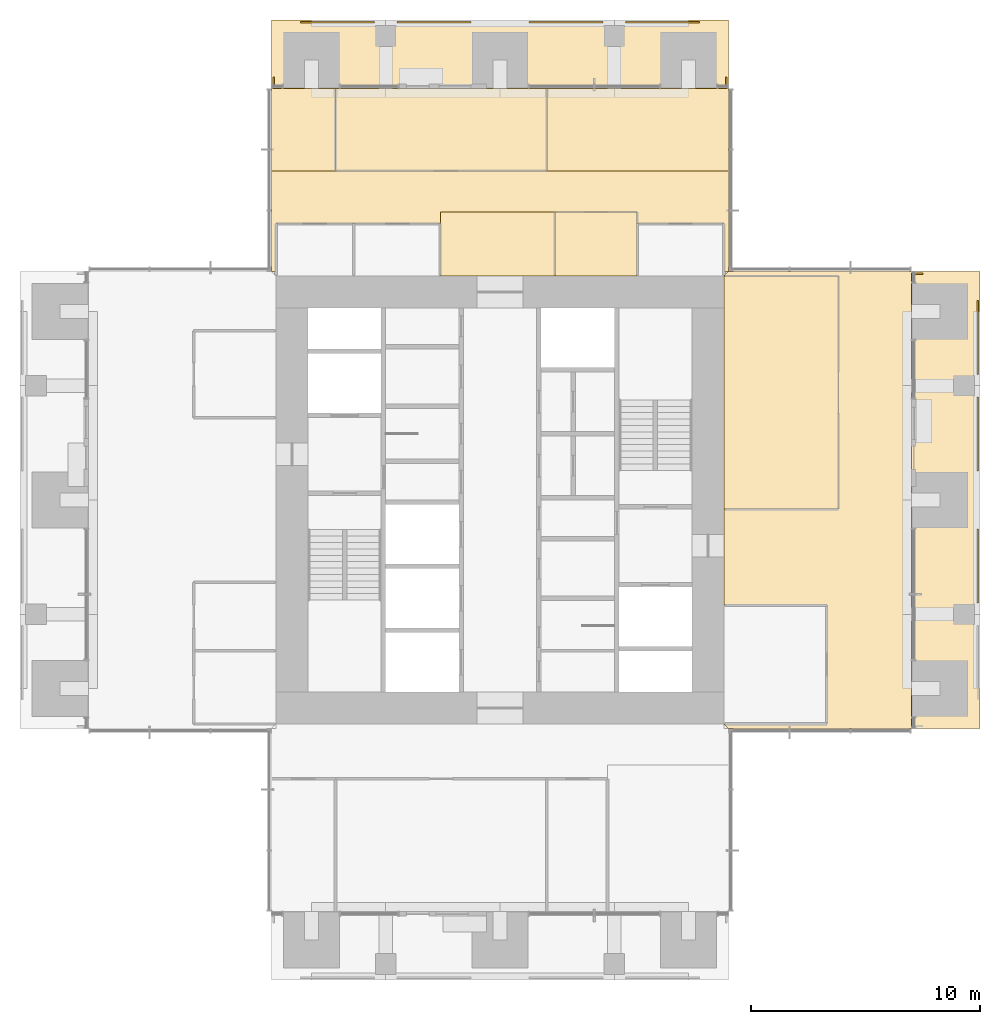
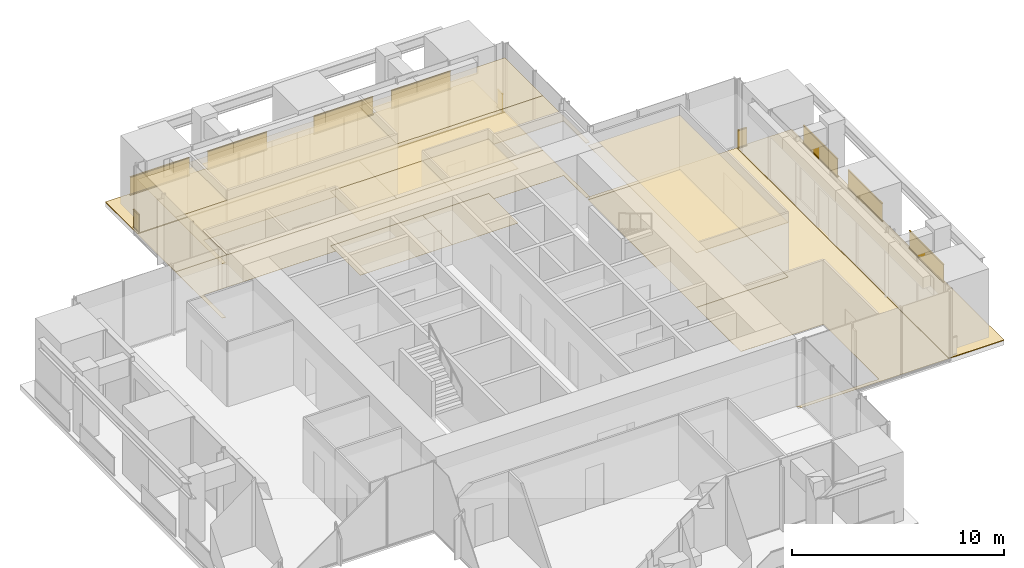
# One storey, part 16 of 17: 17 coverings, 10 railings.
"""IFC4 building model written with IfcOpenShell, lengths in metres."""

from ifc_helpers import new_model, si_unit, direction, frame, origin, origin_2d, place, context, subcontext, project, spatial, polyline, rectangle, outline, extrude, material, layer, layer_set, type_object, element, save


model = new_model("IFC4")

# Units and contexts
model_context = context("Model", 3, precision=1e-05, world=origin(), true_north=direction((0.0, 1.0)))
body_context = subcontext(model_context, "Body", "Model", "MODEL_VIEW")
ifc_project = project(units=[si_unit("LENGTHUNIT", "METRE"), si_unit("AREAUNIT", "SQUARE_METRE"), si_unit("VOLUMEUNIT", "CUBIC_METRE"), si_unit("PLANEANGLEUNIT", "RADIAN"), si_unit("MASSUNIT", "GRAM", prefix="KILO")], contexts=[model_context])

# Site, building, storey
site_placement = place(None, origin())
site = spatial("IfcSite", under=ifc_project, at=site_placement, CompositionType="ELEMENT")
building_placement = place(site_placement, origin())
building = spatial("IfcBuilding", under=site, at=building_placement, Name="Svetlomir Tower", CompositionType="ELEMENT")
storey_placement = place(building_placement, frame((0.0, 0.0, 222.5)))
storey = spatial("IfcBuildingStorey", under=building, at=storey_placement, Name="L53", CompositionType="ELEMENT", Elevation=222.5)

# Railings
ifc_material_1 = material(Name="Bronze anodised aluminium and laminated glass", Category="aluminium")
railing_type = type_object("IfcRailingType", Name="BALCONY GUARD GR1 1100", PredefinedType="GUARDRAIL", material=ifc_material_1)
for number, where, name in (
    (1, (41.89990234375, 16.5, 0.0), "Loggia guard E L53 bay 2"),
    (2, (41.89990234375, 22.27490234375, 0.0), "Loggia guard E L53 bay 3"),
    (3, (41.89990234375, 26.5, 0.0), "Loggia guard E L53 bay 4"),
):
    element("IfcRailing", number, at=place(storey_placement, frame(where)), inside=storey, type_object=railing_type, Name=name, PredefinedType="GUARDRAIL", context=body_context, shape_type="SweptSolid", body=[
        extrude(rectangle(XDim=0.06005859375, YDim=0.10009765625, at=origin_2d()), frame((0.0, 0.0, 0.050048828125), z_axis=(0.0, 1.0, 0.0), x_axis=(-1.0, 0.0, 0.0)), (0.0, 0.0, 1.0), 3.22509765625),
        extrude(rectangle(XDim=0.021484375, YDim=0.960205078125, at=origin_2d()), frame((0.0, 0.0, 0.580078125), z_axis=(0.0, 1.0, 0.0), x_axis=(-1.0, 0.0, 0.0)), (0.0, 0.0, 1.0), 3.22509765625),
        extrude(rectangle(XDim=0.06005859375, YDim=0.0400390625, at=origin_2d()), frame((0.0, 0.0, 1.080078125), z_axis=(0.0, 1.0, 0.0), x_axis=(-1.0, 0.0, 0.0)), (0.0, 0.0, 1.0), 3.22509765625),
    ])
railing_placement = place(storey_placement, frame((39.5, 30.89990234375, 0.0)))
element("IfcRailing", 4, at=railing_placement, inside=storey, type_object=railing_type, Name="Loggia guard E L53 end 2", PredefinedType="GUARDRAIL", context=body_context, shape_type="SweptSolid", body=[
    extrude(rectangle(XDim=0.06005859375, YDim=0.10009765625, at=origin_2d()), frame((0.0, 0.0, 0.050048828125), z_axis=(-1.0, 0.0, 0.0), x_axis=(0.0, -1.0, 0.0)), (0.0, 0.0, 1.0), 0.5),
    extrude(rectangle(XDim=0.021484375, YDim=0.960205078125, at=origin_2d()), frame((0.0, 0.0, 0.580078125), z_axis=(-1.0, 0.0, 0.0), x_axis=(0.0, -1.0, 0.0)), (0.0, 0.0, 1.0), 0.5),
    extrude(rectangle(XDim=0.06005859375, YDim=0.0400390625, at=origin_2d()), frame((0.0, 0.0, 1.080078125), z_axis=(-1.0, 0.0, 0.0), x_axis=(0.0, -1.0, 0.0)), (0.0, 0.0, 1.0), 0.5),
])
for number, where, name in (
    (5, (12.27490234375, 41.89990234375, 0.0), "Loggia guard N L53 bay 1"),
    (6, (16.5, 41.89990234375, 0.0), "Loggia guard N L53 bay 2"),
    (7, (22.27490234375, 41.89990234375, 0.0), "Loggia guard N L53 bay 3"),
    (8, (26.5, 41.89990234375, 0.0), "Loggia guard N L53 bay 4"),
):
    element("IfcRailing", number, at=place(storey_placement, frame(where)), inside=storey, type_object=railing_type, Name=name, PredefinedType="GUARDRAIL", context=body_context, shape_type="SweptSolid", body=[
        extrude(rectangle(XDim=0.06005859375, YDim=0.10009765625, at=origin_2d()), frame((0.0, 0.0, 0.050048828125), z_axis=(1.0, 0.0, 0.0), x_axis=(0.0, 1.0, 0.0)), (0.0, 0.0, 1.0), 3.22509765625),
        extrude(rectangle(XDim=0.021484375, YDim=0.960205078125, at=origin_2d()), frame((0.0, 0.0, 0.580078125), z_axis=(1.0, 0.0, 0.0), x_axis=(0.0, 1.0, 0.0)), (0.0, 0.0, 1.0), 3.22509765625),
        extrude(rectangle(XDim=0.06005859375, YDim=0.0400390625, at=origin_2d()), frame((0.0, 0.0, 1.080078125), z_axis=(1.0, 0.0, 0.0), x_axis=(0.0, 1.0, 0.0)), (0.0, 0.0, 1.0), 3.22509765625),
    ])
for number, where, name in (
    (9, (11.10009765625, 39.5, 0.0), "Loggia guard N L53 end 1"),
    (10, (30.89990234375, 39.5, 0.0), "Loggia guard N L53 end 2"),
):
    element("IfcRailing", number, at=place(storey_placement, frame(where)), inside=storey, type_object=railing_type, Name=name, PredefinedType="GUARDRAIL", context=body_context, shape_type="SweptSolid", body=[
        extrude(rectangle(XDim=0.06005859375, YDim=0.10009765625, at=origin_2d()), frame((0.0, 0.0, 0.050048828125), z_axis=(0.0, -1.0, 0.0), x_axis=(1.0, 0.0, 0.0)), (0.0, 0.0, 1.0), 0.5),
        extrude(rectangle(XDim=0.021484375, YDim=0.960205078125, at=origin_2d()), frame((0.0, 0.0, 0.580078125), z_axis=(0.0, -1.0, 0.0), x_axis=(1.0, 0.0, 0.0)), (0.0, 0.0, 1.0), 0.5),
        extrude(rectangle(XDim=0.06005859375, YDim=0.0400390625, at=origin_2d()), frame((0.0, 0.0, 1.080078125), z_axis=(0.0, -1.0, 0.0), x_axis=(1.0, 0.0, 0.0)), (0.0, 0.0, 1.0), 0.5),
    ])

# Coverings
ifc_material_2 = material(Name="Granite paving slabs on pedestals", Category="masonry")
ifc_layer_1 = layer(ifc_material_2, 0.0400390625)
ifc_layer_set_1 = layer_set([ifc_layer_1], Name="Granite paving slabs on pedestals")
covering_type_1 = type_object("IfcCoveringType", Name="BALCONY PAVING 40", PredefinedType="USERDEFINED", material=ifc_layer_set_1)
covering_1_placement = place(storey_placement, origin())
element("IfcCovering", 11, at=covering_1_placement, inside=storey, type_object=covering_type_1, Name="Loggia paving E L53", ObjectType="BALCONY PAVING", PredefinedType="USERDEFINED", context=body_context, shape_type="SweptSolid", body=[
    extrude(outline(polyline([(39.0, 11.0), (42.0, 11.0), (42.0, 31.0), (39.0, 31.0), (39.0, 11.0)])), origin(), (0.0, 0.0, 1.0), 0.0400390625),
])
covering_2_placement = place(storey_placement, origin())
element("IfcCovering", 12, at=covering_2_placement, inside=storey, type_object=covering_type_1, Name="Loggia paving N L53", ObjectType="BALCONY PAVING", PredefinedType="USERDEFINED", context=body_context, shape_type="SweptSolid", body=[
    extrude(outline(polyline([(11.0, 39.0), (31.0, 39.0), (31.0, 42.0), (11.0, 42.0), (11.0, 39.0)])), origin(), (0.0, 0.0, 1.0), 0.0400390625),
])
ifc_material_3 = material(Name="Carpet tile", Category="textile")
ifc_layer_2 = layer(ifc_material_3, 0.010009765625)
ifc_layer_set_2 = layer_set([ifc_layer_2], Name="Carpet tile")
covering_type_2 = type_object("IfcCoveringType", Name="CARPET TILE FLOOR 10", PredefinedType="FLOORING", material=ifc_layer_set_2)
covering_3_placement = place(storey_placement, origin())
element("IfcCovering", 13, at=covering_3_placement, inside=storey, type_object=covering_type_2, Name="Floor finish L53-22", PredefinedType="FLOORING", context=body_context, shape_type="SweptSolid", body=[
    extrude(outline(polyline([(30.800048828125, 20.60009765625), (35.800048828125, 20.60009765625), (35.800048828125, 30.800048828125), (30.800048828125, 30.800048828125), (30.800048828125, 20.60009765625)])), origin(), (0.0, 0.0, 1.0), 0.010009765625),
])
covering_4_placement = place(storey_placement, origin())
element("IfcCovering", 14, at=covering_4_placement, inside=storey, type_object=covering_type_2, Name="Floor finish L53-25", PredefinedType="FLOORING", context=body_context, shape_type="SweptSolid", body=[
    extrude(outline(polyline([(23.39990234375, 30.800048828125), (27.0, 30.800048828125), (27.0, 33.60009765625), (23.39990234375, 33.60009765625), (23.39990234375, 30.800048828125)])), origin(), (0.0, 0.0, 1.0), 0.010009765625),
])
covering_5_placement = place(storey_placement, origin())
element("IfcCovering", 15, at=covering_5_placement, inside=storey, type_object=covering_type_2, Name="Floor finish L53-27", PredefinedType="FLOORING", context=body_context, shape_type="SweptSolid", body=[
    extrude(outline(polyline([(13.800048828125, 35.39990234375), (23.050048828125, 35.39990234375), (23.050048828125, 39.0), (13.800048828125, 39.0), (13.800048828125, 35.39990234375)])), origin(), (0.0, 0.0, 1.0), 0.010009765625),
])
covering_6_placement = place(storey_placement, origin())
element("IfcCovering", 16, at=covering_6_placement, inside=storey, type_object=covering_type_2, Name="Floor finish L53-32", PredefinedType="FLOORING", context=body_context, shape_type="SweptSolid", body=[
    extrude(outline(polyline([(27.0, 33.10009765625), (27.0, 33.60009765625), (18.39990234375, 33.60009765625), (18.39990234375, 33.10009765625), (11.199951171875, 33.10009765625), (11.199951171875, 31.0), (11.0, 31.0), (11.0, 35.39990234375), (31.0, 35.39990234375), (31.0, 31.0), (30.800048828125, 31.0), (30.800048828125, 33.10009765625), (27.0, 33.10009765625)])), origin(), (0.0, 0.0, 1.0), 0.010009765625),
])
covering_7_placement = place(storey_placement, origin())
element("IfcCovering", 17, at=covering_7_placement, inside=storey, type_object=covering_type_2, Name="Floor finish L53-34", PredefinedType="FLOORING", context=body_context, shape_type="SweptSolid", body=[
    extrude(outline(polyline([(30.800048828125, 30.800048828125), (31.0, 31.0), (39.0, 31.0), (39.0, 11.0), (31.0, 11.0), (30.800048828125, 11.199951171875), (35.300048828125, 11.199951171875), (35.300048828125, 16.39990234375), (30.800048828125, 16.39990234375), (30.800048828125, 20.60009765625), (35.800048828125, 20.60009765625), (35.800048828125, 30.800048828125), (30.800048828125, 30.800048828125)])), origin(), (0.0, 0.0, 1.0), 0.010009765625),
])
covering_8_placement = place(storey_placement, origin())
element("IfcCovering", 18, at=covering_8_placement, inside=storey, type_object=covering_type_2, Name="Floor finish L53-35", PredefinedType="FLOORING", context=body_context, shape_type="SweptSolid", body=[
    extrude(outline(polyline([(23.050048828125, 35.39990234375), (23.050048828125, 39.0), (31.0, 39.0), (31.0, 35.39990234375), (23.050048828125, 35.39990234375)])), origin(), (0.0, 0.0, 1.0), 0.010009765625),
])
covering_9_placement = place(storey_placement, origin())
element("IfcCovering", 19, at=covering_9_placement, inside=storey, type_object=covering_type_2, Name="Floor finish L53-36", PredefinedType="FLOORING", context=body_context, shape_type="SweptSolid", body=[
    extrude(outline(polyline([(18.39990234375, 30.800048828125), (18.39990234375, 33.60009765625), (23.39990234375, 33.60009765625), (23.39990234375, 30.800048828125), (18.39990234375, 30.800048828125)])), origin(), (0.0, 0.0, 1.0), 0.010009765625),
])
covering_10_placement = place(storey_placement, origin())
element("IfcCovering", 20, at=covering_10_placement, inside=storey, type_object=covering_type_2, Name="Floor finish L53-37", PredefinedType="FLOORING", context=body_context, shape_type="SweptSolid", body=[
    extrude(outline(polyline([(13.800048828125, 39.0), (13.800048828125, 35.39990234375), (11.0, 35.39990234375), (11.0, 39.0), (13.800048828125, 39.0)])), origin(), (0.0, 0.0, 1.0), 0.010009765625),
])
ifc_material_4 = material(Name="Mineral fibre ceiling tile", Category="mineral")
ifc_layer_3 = layer(ifc_material_4, 0.02001953125)
ifc_layer_set_3 = layer_set([ifc_layer_3], Name="Mineral fibre ceiling tile")
covering_type_3 = type_object("IfcCoveringType", Name="SUSPENDED CEILING 20", PredefinedType="CEILING", material=ifc_layer_set_3)
covering_11_placement = place(storey_placement, frame((0.0, 0.0, 3.1298828125)))
element("IfcCovering", 21, at=covering_11_placement, inside=storey, type_object=covering_type_3, Name="Ceiling L53-22", PredefinedType="CEILING", context=body_context, shape_type="SweptSolid", body=[
    extrude(outline(polyline([(30.800048828125, 20.60009765625), (35.800048828125, 20.60009765625), (35.800048828125, 30.800048828125), (30.800048828125, 30.800048828125), (30.800048828125, 20.60009765625)])), origin(), (0.0, 0.0, 1.0), 0.02001953125),
])
covering_12_placement = place(storey_placement, frame((0.0, 0.0, 3.1298828125)))
element("IfcCovering", 22, at=covering_12_placement, inside=storey, type_object=covering_type_3, Name="Ceiling L53-25", PredefinedType="CEILING", context=body_context, shape_type="SweptSolid", body=[
    extrude(outline(polyline([(23.39990234375, 30.800048828125), (27.0, 30.800048828125), (27.0, 33.60009765625), (23.39990234375, 33.60009765625), (23.39990234375, 30.800048828125)])), origin(), (0.0, 0.0, 1.0), 0.02001953125),
])
covering_13_placement = place(storey_placement, frame((0.0, 0.0, 3.1298828125)))
element("IfcCovering", 23, at=covering_13_placement, inside=storey, type_object=covering_type_3, Name="Ceiling L53-27", PredefinedType="CEILING", context=body_context, shape_type="SweptSolid", body=[
    extrude(outline(polyline([(13.800048828125, 35.39990234375), (23.050048828125, 35.39990234375), (23.050048828125, 39.0), (13.800048828125, 39.0), (13.800048828125, 35.39990234375)])), origin(), (0.0, 0.0, 1.0), 0.02001953125),
])
covering_14_placement = place(storey_placement, frame((0.0, 0.0, 3.1298828125)))
element("IfcCovering", 24, at=covering_14_placement, inside=storey, type_object=covering_type_3, Name="Ceiling L53-32", PredefinedType="CEILING", context=body_context, shape_type="SweptSolid", body=[
    extrude(outline(polyline([(27.0, 33.10009765625), (27.0, 33.60009765625), (18.39990234375, 33.60009765625), (18.39990234375, 33.10009765625), (11.199951171875, 33.10009765625), (11.199951171875, 31.0), (11.0, 31.0), (11.0, 35.39990234375), (31.0, 35.39990234375), (31.0, 31.0), (30.800048828125, 31.0), (30.800048828125, 33.10009765625), (27.0, 33.10009765625)])), origin(), (0.0, 0.0, 1.0), 0.02001953125),
])
covering_15_placement = place(storey_placement, frame((0.0, 0.0, 3.1298828125)))
element("IfcCovering", 25, at=covering_15_placement, inside=storey, type_object=covering_type_3, Name="Ceiling L53-35", PredefinedType="CEILING", context=body_context, shape_type="SweptSolid", body=[
    extrude(outline(polyline([(23.050048828125, 35.39990234375), (23.050048828125, 39.0), (31.0, 39.0), (31.0, 35.39990234375), (23.050048828125, 35.39990234375)])), origin(), (0.0, 0.0, 1.0), 0.02001953125),
])
covering_16_placement = place(storey_placement, frame((0.0, 0.0, 3.1298828125)))
element("IfcCovering", 26, at=covering_16_placement, inside=storey, type_object=covering_type_3, Name="Ceiling L53-36", PredefinedType="CEILING", context=body_context, shape_type="SweptSolid", body=[
    extrude(outline(polyline([(18.39990234375, 30.800048828125), (18.39990234375, 33.60009765625), (23.39990234375, 33.60009765625), (23.39990234375, 30.800048828125), (18.39990234375, 30.800048828125)])), origin(), (0.0, 0.0, 1.0), 0.02001953125),
])
covering_17_placement = place(storey_placement, frame((0.0, 0.0, 3.1298828125)))
element("IfcCovering", 27, at=covering_17_placement, inside=storey, type_object=covering_type_3, Name="Ceiling L53-37", PredefinedType="CEILING", context=body_context, shape_type="SweptSolid", body=[
    extrude(outline(polyline([(13.800048828125, 39.0), (13.800048828125, 35.39990234375), (11.0, 35.39990234375), (11.0, 39.0), (13.800048828125, 39.0)])), origin(), (0.0, 0.0, 1.0), 0.02001953125),
])

save(model, "model.ifc")
